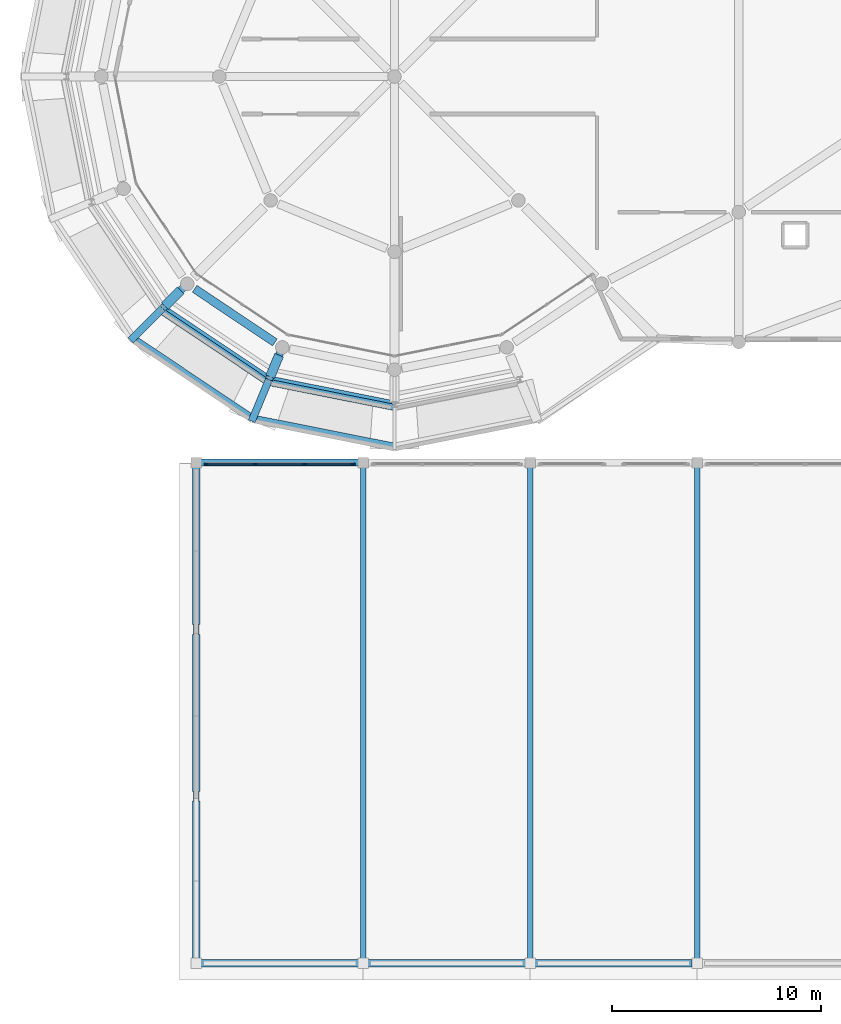
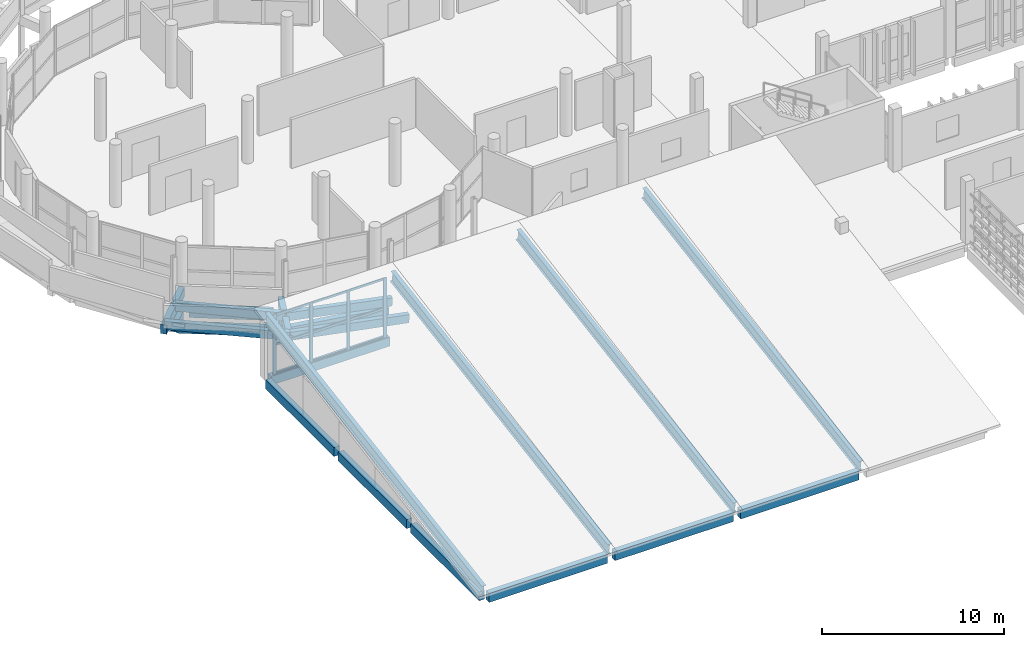
# One storey, part 9 of 83: 24 beams, 13 members, 1 element without a shape of its own.
"""IFC4 building model written with IfcOpenShell, lengths in metres."""

from ifc_helpers import new_model, si_unit, direction, frame, origin, origin_2d, place, context, subcontext, project, spatial, rectangle, i_section, extrude, material, layer, layer_set, material_profile, profile_set, type_object, element, aggregate, save


model = new_model("IFC4")

# Units and contexts
model_context = context("Model", 3, precision=1e-05, world=origin(), true_north=direction((0.0, 1.0)))
body_context = subcontext(model_context, "Body", "Model", "MODEL_VIEW")
ifc_project = project(units=[si_unit("LENGTHUNIT", "METRE"), si_unit("AREAUNIT", "SQUARE_METRE"), si_unit("VOLUMEUNIT", "CUBIC_METRE"), si_unit("PLANEANGLEUNIT", "RADIAN"), si_unit("MASSUNIT", "GRAM", prefix="KILO")], contexts=[model_context])

# Site, building, storey
site_placement = place(None, origin())
site = spatial("IfcSite", under=ifc_project, at=site_placement, CompositionType="ELEMENT")
building_placement = place(site_placement, origin())
building = spatial("IfcBuilding", under=site, at=building_placement, Name="Jelvoka-Kovrelna Polytechnic", CompositionType="ELEMENT")
storey_placement = place(building_placement, frame((0.0, 0.0, 13.800048828125)))
storey = spatial("IfcBuildingStorey", under=building, at=storey_placement, Name="L04", CompositionType="ELEMENT", Elevation=13.800048828125)

# Beams
ifc_material_1 = material(Name="Concrete C35/45", Category="concrete")
ifc_material_profile_1 = material_profile(ifc_material_1, rectangle(XDim=0.35009765625, YDim=0.60009765625, at=origin_2d()), Name="RC 350x600")
ifc_profile_set_1 = profile_set([ifc_material_profile_1], Name="Concrete C35/45")
beam_type_1 = type_object("IfcBeamType", Name="Beam_RC_350x600", PredefinedType="BEAM", material=ifc_profile_set_1)
beam_1_placement = place(storey_placement, frame((20.123291015625, 29.51953125, 0.31494140625), z_axis=(-0.38270467954, -0.923870731357, 0.0), x_axis=(0.923870731357, -0.38270467954, 0.0)))
element("IfcBeam", 1, at=beam_1_placement, inside=storey, type_object=beam_type_1, Name="L04 spiral ramp inner tie beam 4.9", PredefinedType="BEAM", context=body_context, shape_type="SweptSolid", body=[
    extrude(rectangle(XDim=0.35009765625, YDim=0.60009765625, at=origin_2d()), origin(), (0.0, 0.0, 1.0), 1.670166015625),
])
beam_2_placement = place(storey_placement, frame((19.484130859375, 27.9765625, 0.31494140625), z_axis=(-0.382608018592, -0.923910766313, 0.0), x_axis=(0.923910766313, -0.382608018592, 0.0)))
element("IfcBeam", 2, at=beam_2_placement, inside=storey, type_object=beam_type_1, Name="L04 spiral ramp cantilever bracket 4.9", PredefinedType="BEAM", context=body_context, shape_type="SweptSolid", body=[
    extrude(rectangle(XDim=0.35009765625, YDim=0.60009765625, at=origin_2d()), origin(), (0.0, 0.0, 1.0), 2.159912109375),
])
beam_3_placement = place(storey_placement, frame((15.565185546875, 32.565185546875, 0.73486328125), z_axis=(-0.707106781187, -0.707106781187, 0.0), x_axis=(0.707106781187, -0.707106781187, 0.0)))
element("IfcBeam", 3, at=beam_3_placement, inside=storey, type_object=beam_type_1, Name="L04 spiral ramp inner tie beam 4.8", PredefinedType="BEAM", context=body_context, shape_type="SweptSolid", body=[
    extrude(rectangle(XDim=0.35009765625, YDim=0.60009765625, at=origin_2d()), origin(), (0.0, 0.0, 1.0), 1.670166015625),
])
beam_4_placement = place(storey_placement, frame((14.38427734375, 31.38427734375, 0.73486328125), z_axis=(-0.707106781187, -0.707106781187, 0.0), x_axis=(0.707106781187, -0.707106781187, 0.0)))
element("IfcBeam", 4, at=beam_4_placement, inside=storey, type_object=beam_type_1, Name="L04 spiral ramp cantilever bracket 4.8", PredefinedType="BEAM", context=body_context, shape_type="SweptSolid", body=[
    extrude(rectangle(XDim=0.35009765625, YDim=0.60009765625, at=origin_2d()), origin(), (0.0, 0.0, 1.0), 2.159912109375),
])
ifc_material_2 = material(Name="Concrete C40/50", Category="concrete")
ifc_material_profile_2 = material_profile(ifc_material_2, rectangle(XDim=0.39990234375, YDim=0.64990234375, at=origin_2d()), Name="RC 400x650")
ifc_profile_set_2 = profile_set([ifc_material_profile_2], Name="Concrete C40/50")
beam_type_2 = type_object("IfcBeamType", Name="Beam_RC_400x650", PredefinedType="BEAM", material=ifc_profile_set_2)
beam_5_placement = place(storey_placement, frame((15.92333984375, 32.32568359375, -0.574951171875), z_axis=(0.83148081682, -0.555553463908, 0.0), x_axis=(0.555553463908, 0.83148081682, 0.0)))
element("IfcBeam", 5, at=beam_5_placement, inside=storey, type_object=beam_type_2, Name="L04 beam 2560", PredefinedType="BEAM", context=body_context, shape_type="SweptSolid", body=[
    extrude(rectangle(XDim=0.39990234375, YDim=0.64990234375, at=origin_2d()), origin(), (0.0, 0.0, 1.0), 4.620361328125),
])
ifc_material_3 = material(Name="Concrete C40/50", Category="concrete")
ifc_material_profile_3 = material_profile(ifc_material_3, rectangle(XDim=0.449951171875, YDim=0.75, at=origin_2d()), Name="RC 450x750")
ifc_profile_set_3 = profile_set([ifc_material_profile_3], Name="Concrete C40/50")
beam_type_3 = type_object("IfcBeamType", Name="Beam_RC_450x750", PredefinedType="BEAM", material=ifc_profile_set_3)
beam_6_placement = place(storey_placement, frame((15.254150390625, 32.254150390625, -0.625), z_axis=(-0.707106781187, -0.707106781187, 0.0), x_axis=(0.707106781187, -0.707106781187, 0.0)))
element("IfcBeam", 6, at=beam_6_placement, inside=storey, type_object=beam_type_3, Name="L04 beam 2573", PredefinedType="BEAM", context=body_context, shape_type="SweptSolid", body=[
    extrude(rectangle(XDim=0.449951171875, YDim=0.75, at=origin_2d()), origin(), (0.0, 0.0, 1.0), 1.0703125),
])
beam_7_placement = place(storey_placement, frame((19.968505859375, 29.145751953125, -0.625), z_axis=(-0.382679177001, -0.923881295129, 0.0), x_axis=(0.923881295129, -0.382679177001, 0.0)))
element("IfcBeam", 7, at=beam_7_placement, inside=storey, type_object=beam_type_3, Name="L04 beam 2574", PredefinedType="BEAM", context=body_context, shape_type="SweptSolid", body=[
    extrude(rectangle(XDim=0.449951171875, YDim=0.75, at=origin_2d()), origin(), (0.0, 0.0, 1.0), 1.11962890625),
])
ifc_material_4 = material(Name="Structural steel S355JR", Category="steel")
ifc_material_profile_4 = material_profile(ifc_material_4, i_section(OverallWidth=0.26513671875, OverallDepth=0.75390625, WebThickness=0.0126953125, FlangeThickness=0.017578125, FilletRadius=0.0166015625, at=origin_2d()), Name="762x267x147 UB")
ifc_profile_set_4 = profile_set([ifc_material_profile_4], Name="Structural steel S355JR")
beam_type_4 = type_object("IfcBeamType", Name="Girder_Steel_UB762", PredefinedType="BEAM", material=ifc_profile_set_4)
for number, where, z_axis, x_axis, name in (
    (8, (16.0, 0.050048828125, 0.119873046875), (0.0, 0.986747401928, 0.162263873948), (-1.0, 0.0, 0.0), "L04 V4 sloped roof girder 0233"),
    (9, (24.0, 0.050048828125, 0.119873046875), (0.0, 0.986747401928, 0.162263873948), (-1.0, 0.0, 0.0), "L04 V4 sloped roof girder 0234"),
    (10, (32.0, 0.050048828125, 0.119873046875), (0.0, 0.986747401928, 0.162263873948), (-1.0, 0.0, 0.0), "L04 V4 sloped roof girder 0235"),
    (11, (40.0, 0.050048828125, 0.119873046875), (0.0, 0.986747401928, 0.162263873948), (-1.0, 0.0, 0.0), "L04 V4 sloped roof girder 0236"),
):
    element("IfcBeam", number, at=place(storey_placement, frame(where, z_axis=z_axis, x_axis=x_axis)), inside=storey, type_object=beam_type_4, Name=name, PredefinedType="BEAM", context=body_context, shape_type="SweptSolid", body=[
        extrude(i_section(OverallWidth=0.26513671875, OverallDepth=0.75390625, WebThickness=0.0126953125, FlangeThickness=0.017578125, FilletRadius=0.0166015625, at=origin_2d()), origin(), (0.0, 0.0, 1.0), 24.220947265625),
    ])

# Curtain wall, members
ifc_material_5 = material(Name="Anodised aluminium 6063-T6", Category="aluminium")
ifc_layer = layer(ifc_material_5, 0.199951171875)
ifc_layer_set = layer_set([ifc_layer], Name="Anodised aluminium 6063-T6")
curtain_wall_type = type_object("IfcCurtainWallType", Name="CW_Clerestory", PredefinedType="NOTDEFINED", material=ifc_layer_set)
curtain_wall_placement = place(storey_placement, origin())
curtain_wall = element("IfcCurtainWall", 12, at=curtain_wall_placement, inside=storey, type_object=curtain_wall_type, Name="L04 glazed curtain wall 298", PredefinedType="NOTDEFINED")
ifc_material_6 = material(Name="Anodised aluminium 6063-T6", Category="aluminium")
ifc_material_profile_5 = material_profile(ifc_material_6, rectangle(XDim=0.070068359375, YDim=0.199951171875, at=origin_2d()), Name="ALU 70x200")
ifc_profile_set_5 = profile_set([ifc_material_profile_5], Name="Anodised aluminium 6063-T6")
member_type_1 = type_object("IfcMemberType", Name="Mullion_M-03", PredefinedType="MULLION", material=ifc_profile_set_5)
member_1_placement = place(storey_placement, frame((16.485107421875, 23.93994140625, -0.02490234375), z_axis=(0.0, 0.0, 1.0), x_axis=(0.0, 1.0, 0.0)))
member_1 = element("IfcMember", 13, at=member_1_placement, type_object=member_type_1, Name="CW-03 mullion 1", PredefinedType="MULLION", context=body_context, shape_type="SweptSolid", body=[
    extrude(rectangle(XDim=0.070068359375, YDim=0.199951171875, at=origin_2d()), origin(), (0.0, 0.0, 1.0), 4.10009765625),
])
member_2_placement = place(storey_placement, frame((18.816650390625, 23.93994140625, -0.02490234375), z_axis=(0.0, 0.0, 1.0), x_axis=(0.0, 1.0, 0.0)))
member_2 = element("IfcMember", 14, at=member_2_placement, type_object=member_type_1, Name="CW-03 mullion 2", PredefinedType="MULLION", context=body_context, shape_type="SweptSolid", body=[
    extrude(rectangle(XDim=0.070068359375, YDim=0.199951171875, at=origin_2d()), origin(), (0.0, 0.0, 1.0), 4.10009765625),
])
member_3_placement = place(storey_placement, frame((21.183349609375, 23.93994140625, -0.02490234375), z_axis=(0.0, 0.0, 1.0), x_axis=(0.0, 1.0, 0.0)))
member_3 = element("IfcMember", 15, at=member_3_placement, type_object=member_type_1, Name="CW-03 mullion 3", PredefinedType="MULLION", context=body_context, shape_type="SweptSolid", body=[
    extrude(rectangle(XDim=0.070068359375, YDim=0.199951171875, at=origin_2d()), origin(), (0.0, 0.0, 1.0), 4.10009765625),
])
member_4_placement = place(storey_placement, frame((23.514892578125, 23.93994140625, -0.02490234375), z_axis=(0.0, 0.0, 1.0), x_axis=(0.0, 1.0, 0.0)))
member_4 = element("IfcMember", 16, at=member_4_placement, type_object=member_type_1, Name="CW-03 mullion 4", PredefinedType="MULLION", context=body_context, shape_type="SweptSolid", body=[
    extrude(rectangle(XDim=0.070068359375, YDim=0.199951171875, at=origin_2d()), origin(), (0.0, 0.0, 1.0), 4.10009765625),
])

# Beams
ifc_material_7 = material(Name="Concrete C40/50", Category="concrete")
ifc_material_profile_6 = material_profile(ifc_material_7, rectangle(XDim=0.300048828125, YDim=0.550048828125, at=origin_2d()), Name="RC 300x550")
ifc_profile_set_6 = profile_set([ifc_material_profile_6], Name="Concrete C40/50")
beam_type_5 = type_object("IfcBeamType", Name="Spandrel_RC_300x550", PredefinedType="SPANDREL", material=ifc_profile_set_6)
beam_8_placement = place(storey_placement, frame((25.5, 24.780029296875, 0.204833984375), z_axis=(-0.97945765307, 0.194826596098, 0.05201253018), x_axis=(-0.195090664524, -0.980785212274, 0.0)))
element("IfcBeam", 17, at=beam_8_placement, inside=storey, type_object=beam_type_5, Name="L04 spiral ramp curved outer stringer 4.10", PredefinedType="SPANDREL", context=body_context, shape_type="SweptSolid", body=[
    extrude(rectangle(XDim=0.300048828125, YDim=0.550048828125, at=origin_2d()), origin(), (0.0, 0.0, 1.0), 6.923583984375),
])
beam_9_placement = place(storey_placement, frame((25.5, 26.639892578125, 0.204833984375), z_axis=(-0.979121052381, 0.194800190067, 0.058093465497), x_axis=(-0.195129735209, -0.980777439808, 0.0)))
element("IfcBeam", 18, at=beam_9_placement, inside=storey, type_object=beam_type_5, Name="L04 spiral ramp curved inner stringer 4.10", PredefinedType="SPANDREL", context=body_context, shape_type="SweptSolid", body=[
    extrude(rectangle(XDim=0.300048828125, YDim=0.550048828125, at=origin_2d()), origin(), (0.0, 0.0, 1.0), 6.19873046875),
])
beam_10_placement = place(storey_placement, frame((18.71875, 26.12890625, 0.56494140625), z_axis=(-0.829922883435, 0.554574307652, 0.06062462242), x_axis=(-0.555596251424, -0.831452226772, 0.0)))
element("IfcBeam", 19, at=beam_10_placement, inside=storey, type_object=beam_type_5, Name="L04 spiral ramp curved outer stringer 4.9", PredefinedType="SPANDREL", context=body_context, shape_type="SweptSolid", body=[
    extrude(rectangle(XDim=0.300048828125, YDim=0.550048828125, at=origin_2d()), origin(), (0.0, 0.0, 1.0), 6.926513671875),
])
beam_11_placement = place(storey_placement, frame((19.4306640625, 27.847412109375, 0.56494140625), z_axis=(-0.829559359423, 0.554299164858, 0.067703065158), x_axis=(-0.555573920801, -0.831467148194, 0.0)))
element("IfcBeam", 20, at=beam_11_placement, inside=storey, type_object=beam_type_5, Name="L04 spiral ramp curved inner stringer 4.9", PredefinedType="SPANDREL", context=body_context, shape_type="SweptSolid", body=[
    extrude(rectangle(XDim=0.300048828125, YDim=0.550048828125, at=origin_2d()), origin(), (0.0, 0.0, 1.0), 6.202392578125),
])
ifc_material_8 = material(Name="Concrete C40/50", Category="concrete")
ifc_material_profile_7 = material_profile(ifc_material_8, rectangle(XDim=0.35009765625, YDim=0.60009765625, at=origin_2d()), Name="RC 350x600")
ifc_profile_set_7 = profile_set([ifc_material_profile_7], Name="Concrete C40/50")
beam_type_6 = type_object("IfcBeamType", Name="Spandrel_RC_350x600", PredefinedType="SPANDREL", material=ifc_profile_set_7)
for number, where, z_axis, x_axis, name in (
    (21, (16.22998046875, 0.0, -0.300048828125), (1.0, 0.0, 0.0), (0.0, 1.0, 0.0), "L04 beam 0238"),
    (22, (16.22998046875, 24.0, -0.25), (1.0, 0.0, 0.0), (0.0, 1.0, 0.0), "L04 beam 0239"),
    (23, (24.22998046875, 0.0, -0.300048828125), (1.0, 0.0, 0.0), (0.0, 1.0, 0.0), "L04 beam 0240"),
    (24, (32.22998046875, 0.0, -0.300048828125), (1.0, 0.0, 0.0), (0.0, 1.0, 0.0), "L04 beam 0242"),
    (25, (16.0, 0.22998046875, -0.300048828125), (0.0, 1.0, 0.0), (-1.0, 0.0, 0.0), "L04 beam 0246"),
    (26, (16.0, 8.22998046875, -0.300048828125), (0.0, 1.0, 0.0), (-1.0, 0.0, 0.0), "L04 beam 0248"),
    (27, (16.0, 16.22998046875, -0.300048828125), (0.0, 1.0, 0.0), (-1.0, 0.0, 0.0), "L04 beam 0250"),
):
    element("IfcBeam", number, at=place(storey_placement, frame(where, z_axis=z_axis, x_axis=x_axis)), inside=storey, type_object=beam_type_6, Name=name, PredefinedType="SPANDREL", context=body_context, shape_type="SweptSolid", body=[
        extrude(rectangle(XDim=0.35009765625, YDim=0.60009765625, at=origin_2d()), origin(), (0.0, 0.0, 1.0), 7.5400390625),
    ])
beam_12_placement = place(storey_placement, frame((14.51416015625, 31.297607421875, -0.550048828125), z_axis=(0.831475611635, -0.555561254279, 0.0), x_axis=(0.555561254279, 0.831475611635, 0.0)))
element("IfcBeam", 28, at=beam_12_placement, inside=storey, type_object=beam_type_6, Name="L04 beam 2585", PredefinedType="SPANDREL", context=body_context, shape_type="SweptSolid", body=[
    extrude(rectangle(XDim=0.35009765625, YDim=0.60009765625, at=origin_2d()), origin(), (0.0, 0.0, 1.0), 5.8212890625),
])
beam_13_placement = place(storey_placement, frame((19.611083984375, 27.951416015625, -0.550048828125), z_axis=(0.98078154922, -0.195109079005, 0.0), x_axis=(0.195109079005, 0.98078154922, 0.0)))
element("IfcBeam", 29, at=beam_13_placement, inside=storey, type_object=beam_type_6, Name="L04 beam 2586", PredefinedType="SPANDREL", context=body_context, shape_type="SweptSolid", body=[
    extrude(rectangle(XDim=0.35009765625, YDim=0.60009765625, at=origin_2d()), origin(), (0.0, 0.0, 1.0), 5.874755859375),
])

# Member
ifc_material_9 = material(Name="Anodised aluminium 6063-T6", Category="aluminium")
ifc_material_profile_8 = material_profile(ifc_material_9, rectangle(XDim=0.070068359375, YDim=0.14501953125, at=origin_2d()), Name="ALU 70x145")
ifc_profile_set_8 = profile_set([ifc_material_profile_8], Name="Anodised aluminium 6063-T6")
member_type_2 = type_object("IfcMemberType", Name="Transom_T-03", PredefinedType="USERDEFINED", material=ifc_profile_set_8)
member_5_placement = place(storey_placement, frame((16.52001953125, 23.93994140625, 0.034912109375), z_axis=(1.0, 0.0, 0.0), x_axis=(0.0, 1.0, 0.0)))
member_5 = element("IfcMember", 30, at=member_5_placement, type_object=member_type_2, Name="CW-03 transom 1.1", ObjectType="TRANSOM", PredefinedType="USERDEFINED", context=body_context, shape_type="SweptSolid", body=[
    extrude(rectangle(XDim=0.070068359375, YDim=0.14501953125, at=origin_2d()), origin(), (0.0, 0.0, 1.0), 2.26171875),
])

member_6_placement = place(storey_placement, frame((16.52001953125, 23.93994140625, 2.02490234375), z_axis=(1.0, 0.0, 0.0), x_axis=(0.0, 1.0, 0.0)))
member_6 = element("IfcMember", 31, at=member_6_placement, type_object=member_type_2, Name="CW-03 transom 1.2", ObjectType="TRANSOM", PredefinedType="USERDEFINED", context=body_context, shape_type="SweptSolid", body=[
    extrude(rectangle(XDim=0.070068359375, YDim=0.14501953125, at=origin_2d()), origin(), (0.0, 0.0, 1.0), 2.26171875),
])

member_7_placement = place(storey_placement, frame((16.52001953125, 23.93994140625, 4.014892578125), z_axis=(1.0, 0.0, 0.0), x_axis=(0.0, 1.0, 0.0)))
member_7 = element("IfcMember", 32, at=member_7_placement, type_object=member_type_2, Name="CW-03 transom 1.3", ObjectType="TRANSOM", PredefinedType="USERDEFINED", context=body_context, shape_type="SweptSolid", body=[
    extrude(rectangle(XDim=0.070068359375, YDim=0.14501953125, at=origin_2d()), origin(), (0.0, 0.0, 1.0), 2.26171875),
])

member_8_placement = place(storey_placement, frame((18.8515625, 23.93994140625, 0.034912109375), z_axis=(1.0, 0.0, 0.0), x_axis=(0.0, 1.0, 0.0)))
member_8 = element("IfcMember", 33, at=member_8_placement, type_object=member_type_2, Name="CW-03 transom 2.1", ObjectType="TRANSOM", PredefinedType="USERDEFINED", context=body_context, shape_type="SweptSolid", body=[
    extrude(rectangle(XDim=0.070068359375, YDim=0.14501953125, at=origin_2d()), origin(), (0.0, 0.0, 1.0), 2.296875),
])

member_9_placement = place(storey_placement, frame((18.8515625, 23.93994140625, 2.02490234375), z_axis=(1.0, 0.0, 0.0), x_axis=(0.0, 1.0, 0.0)))
member_9 = element("IfcMember", 34, at=member_9_placement, type_object=member_type_2, Name="CW-03 transom 2.2", ObjectType="TRANSOM", PredefinedType="USERDEFINED", context=body_context, shape_type="SweptSolid", body=[
    extrude(rectangle(XDim=0.070068359375, YDim=0.14501953125, at=origin_2d()), origin(), (0.0, 0.0, 1.0), 2.296875),
])

member_10_placement = place(storey_placement, frame((18.8515625, 23.93994140625, 4.014892578125), z_axis=(1.0, 0.0, 0.0), x_axis=(0.0, 1.0, 0.0)))
member_10 = element("IfcMember", 35, at=member_10_placement, type_object=member_type_2, Name="CW-03 transom 2.3", ObjectType="TRANSOM", PredefinedType="USERDEFINED", context=body_context, shape_type="SweptSolid", body=[
    extrude(rectangle(XDim=0.070068359375, YDim=0.14501953125, at=origin_2d()), origin(), (0.0, 0.0, 1.0), 2.296875),
])

member_11_placement = place(storey_placement, frame((21.21826171875, 23.93994140625, 0.034912109375), z_axis=(1.0, 0.0, 0.0), x_axis=(0.0, 1.0, 0.0)))
member_11 = element("IfcMember", 36, at=member_11_placement, type_object=member_type_2, Name="CW-03 transom 3.1", ObjectType="TRANSOM", PredefinedType="USERDEFINED", context=body_context, shape_type="SweptSolid", body=[
    extrude(rectangle(XDim=0.070068359375, YDim=0.14501953125, at=origin_2d()), origin(), (0.0, 0.0, 1.0), 2.26171875),
])

member_12_placement = place(storey_placement, frame((21.21826171875, 23.93994140625, 2.02490234375), z_axis=(1.0, 0.0, 0.0), x_axis=(0.0, 1.0, 0.0)))
member_12 = element("IfcMember", 37, at=member_12_placement, type_object=member_type_2, Name="CW-03 transom 3.2", ObjectType="TRANSOM", PredefinedType="USERDEFINED", context=body_context, shape_type="SweptSolid", body=[
    extrude(rectangle(XDim=0.070068359375, YDim=0.14501953125, at=origin_2d()), origin(), (0.0, 0.0, 1.0), 2.26171875),
])

member_13_placement = place(storey_placement, frame((21.21826171875, 23.93994140625, 4.014892578125), z_axis=(1.0, 0.0, 0.0), x_axis=(0.0, 1.0, 0.0)))
member_13 = element("IfcMember", 38, at=member_13_placement, type_object=member_type_2, Name="CW-03 transom 3.3", ObjectType="TRANSOM", PredefinedType="USERDEFINED", context=body_context, shape_type="SweptSolid", body=[
    extrude(rectangle(XDim=0.070068359375, YDim=0.14501953125, at=origin_2d()), origin(), (0.0, 0.0, 1.0), 2.26171875),
])

aggregate(curtain_wall, [member_1, member_2, member_3, member_4, member_5, member_6, member_7, member_8, member_9, member_10, member_11, member_12, member_13])

save(model, "model.ifc")
